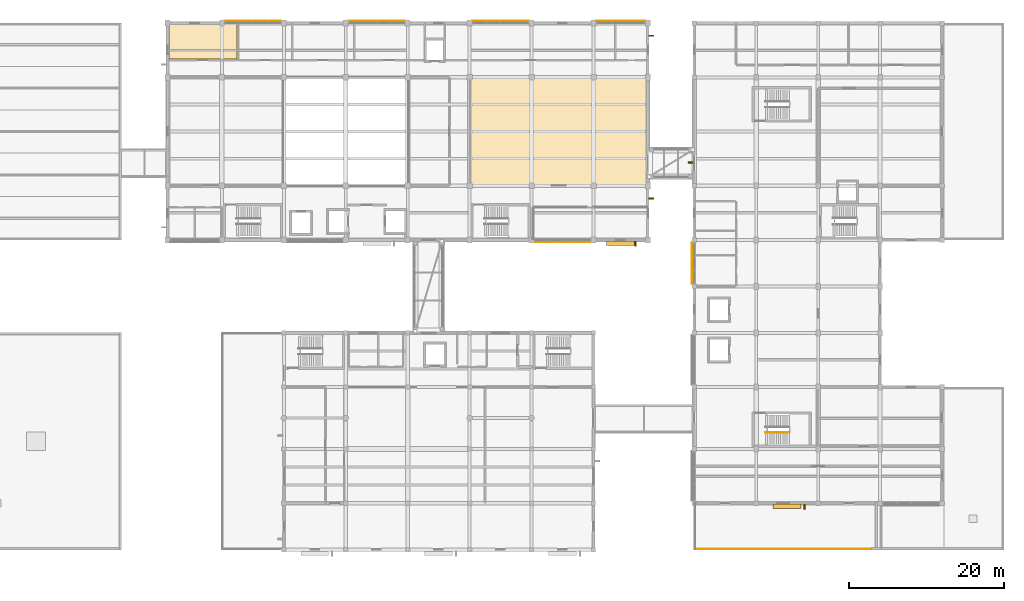
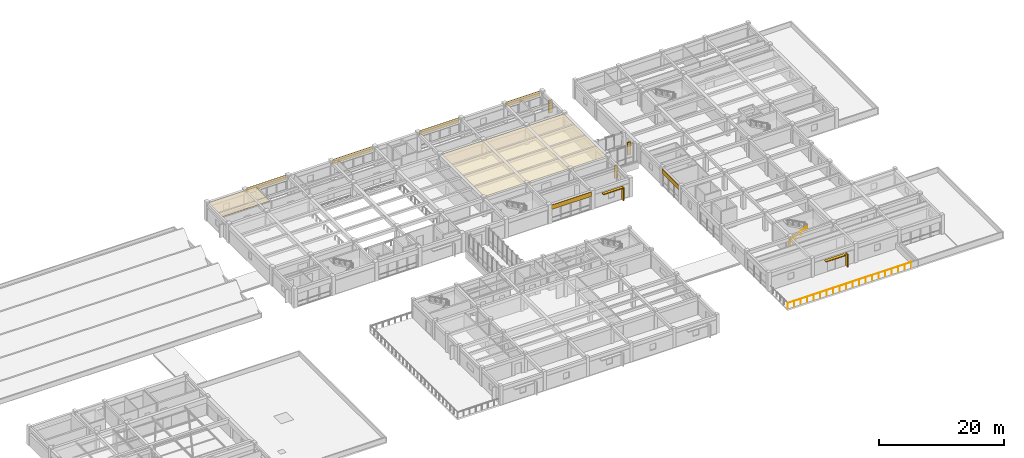
# One storey, part 40 of 42: 8 coverings, 7 shading devices, 2 railings.
"""IFC4 building model written with IfcOpenShell, lengths in metres."""

from ifc_helpers import new_model, si_unit, direction, frame, origin, origin_2d, place, context, subcontext, project, spatial, polyline, rectangle, circle, outline, extrude, material, layer, layer_set, type_object, element, save


model = new_model("IFC4")

# Units and contexts
model_context = context("Model", 3, precision=1e-05, world=origin(), true_north=direction((0.0, 1.0)))
body_context = subcontext(model_context, "Body", "Model", "MODEL_VIEW")
ifc_project = project(units=[si_unit("LENGTHUNIT", "METRE"), si_unit("AREAUNIT", "SQUARE_METRE"), si_unit("VOLUMEUNIT", "CUBIC_METRE"), si_unit("PLANEANGLEUNIT", "RADIAN"), si_unit("MASSUNIT", "GRAM", prefix="KILO")], contexts=[model_context])

# Site, building, storey
site_placement = place(None, origin())
site = spatial("IfcSite", under=ifc_project, at=site_placement, CompositionType="ELEMENT")
building_placement = place(site_placement, origin())
building = spatial("IfcBuilding", under=site, at=building_placement, Name="Naurynzar Civic Courthouse", CompositionType="ELEMENT")
storey_placement = place(building_placement, frame((0.0, 0.0, 18.300048828125)))
storey = spatial("IfcBuildingStorey", under=building, at=storey_placement, Name="L05", CompositionType="ELEMENT", Elevation=18.300048828125)

# Coverings
ifc_material_1 = material(Name="Acoustic Oak Timber Grade A", Category="wood")
ifc_layer_1 = layer(ifc_material_1, 0.044921875)
ifc_layer_set_1 = layer_set([ifc_layer_1], Name="CEIL-ACOUSTIC-OAK-45")
covering_type_1 = type_object("IfcCoveringType", Name="CEIL-ACOUSTIC-OAK-45", PredefinedType="CEILING", material=ifc_layer_set_1)
covering_1_placement = place(storey_placement, frame((0.0, 0.0, 3.364990234375)))
element("IfcCovering", 1, at=covering_1_placement, inside=storey, type_object=covering_type_1, Name="Acoustic suspended ceiling Civil Chamber Courtroom L05-E", PredefinedType="CEILING", context=body_context, shape_type="SweptSolid", body=[
    extrude(outline(polyline([(101.159912109375, 51.159912109375), (101.159912109375, 64.840087890625), (123.840087890625, 64.840087890625), (123.840087890625, 51.159912109375), (101.159912109375, 51.159912109375)])), origin(), (0.0, 0.0, 1.0), 0.044921875),
])
ifc_material_2 = material(Name="Mineral Fibre Acoustic Ceiling")
ifc_layer_2 = layer(ifc_material_2, 0.030029296875)
ifc_layer_set_2 = layer_set([ifc_layer_2], Name="CEIL-MINERAL-30")
covering_type_2 = type_object("IfcCoveringType", Name="CEIL-MINERAL-30", PredefinedType="CEILING", material=ifc_layer_set_2)
covering_2_placement = place(storey_placement, frame((0.0, 0.0, 3.364990234375)))
element("IfcCovering", 2, at=covering_2_placement, inside=storey, type_object=covering_type_2, Name="Acoustic suspended ceiling Jury Room L05-N", PredefinedType="CEILING", context=body_context, shape_type="SweptSolid", body=[
    extrude(outline(polyline([(62.159912109375, 67.360107421875), (62.159912109375, 71.840087890625), (70.926025390625, 71.840087890625), (70.926025390625, 67.360107421875), (62.159912109375, 67.360107421875)])), origin(), (0.0, 0.0, 1.0), 0.030029296875),
])
ifc_material_3 = material(Name="Precast concrete C40/50", Category="concrete")
ifc_layer_3 = layer(ifc_material_3, 0.080078125)
ifc_layer_set_3 = layer_set([ifc_layer_3], Name="COV-CLAD-PRECAST-80")
covering_type_3 = type_object("IfcCoveringType", Name="COV-CLAD-PRECAST-80", PredefinedType="CLADDING", material=ifc_layer_set_3)
for number, where, z_axis, x_axis, name in (
    (3, (73.0, 72.2548828125, 2.599853515625), (0.0, 0.0, 1.0), (1.0, 0.0, 0.0), "V2 precast spandrel cladding 36"),
    (4, (89.0, 72.2548828125, 2.599853515625), (0.0, 0.0, 1.0), (1.0, 0.0, 0.0), "V2 precast spandrel cladding 37"),
    (5, (105.0, 72.2548828125, 2.599853515625), (0.0, 0.0, 1.0), (1.0, 0.0, 0.0), "V2 precast spandrel cladding 38"),
):
    element("IfcCovering", number, at=place(storey_placement, frame(where, z_axis=z_axis, x_axis=x_axis)), inside=storey, type_object=covering_type_3, Name=name, PredefinedType="CLADDING", context=body_context, shape_type="SweptSolid", body=[
        extrude(rectangle(XDim=7.35009765625, YDim=0.080078125, at=origin_2d()), origin(), (0.0, 0.0, 1.0), 0.8701171875),
    ])
covering_3_placement = place(storey_placement, frame((120.5, 72.2548828125, 2.599853515625), z_axis=(0.0, 0.0, 1.0), x_axis=(1.0, 0.0, 0.0)))
element("IfcCovering", 6, at=covering_3_placement, inside=storey, type_object=covering_type_3, Name="V2 precast spandrel cladding 39", PredefinedType="CLADDING", context=body_context, shape_type="SweptSolid", body=[
    extrude(rectangle(XDim=6.35009765625, YDim=0.080078125, at=origin_2d()), origin(), (0.0, 0.0, 1.0), 0.8701171875),
])
covering_4_placement = place(storey_placement, frame((113.0, 43.7451171875, 2.599853515625), z_axis=(0.0, 0.0, 1.0), x_axis=(-1.0, 0.0, 0.0)))
element("IfcCovering", 7, at=covering_4_placement, inside=storey, type_object=covering_type_3, Name="V2 precast spandrel cladding 40", PredefinedType="CLADDING", context=body_context, shape_type="SweptSolid", body=[
    extrude(rectangle(XDim=7.35009765625, YDim=0.080078125, at=origin_2d()), origin(), (0.0, 0.0, 1.0), 0.8701171875),
])
covering_5_placement = place(storey_placement, frame((129.7451171875, 41.0, 2.550048828125), z_axis=(0.0, 0.0, 1.0), x_axis=(0.0, 1.0, 0.0)))
element("IfcCovering", 8, at=covering_5_placement, inside=storey, type_object=covering_type_3, Name="V5 precast spandrel cladding 104", PredefinedType="CLADDING", context=body_context, shape_type="SweptSolid", body=[
    extrude(rectangle(XDim=5.39990234375, YDim=0.080078125, at=origin_2d()), origin(), (0.0, 0.0, 1.0), 0.919921875),
])

# Railings
ifc_material_4 = material(Name="Brushed Stainless Steel 304", Category="steel")
railing_type_1 = type_object("IfcRailingType", Name="RAIL-BAL-1100", PredefinedType="BALUSTRADE", material=ifc_material_4)
railing_1_placement = place(storey_placement, frame((130.10009765625, 4.10009765625, 0.0)))
element("IfcRailing", 9, at=railing_1_placement, inside=storey, type_object=railing_type_1, Name="Roof garden perimeter balustrade guard GR-RG-V5.2", PredefinedType="BALUSTRADE", context=body_context, shape_type="SweptSolid", body=[
    extrude(circle(Radius=0.02392578125, at=origin_2d()), frame((0.0, 0.0, 1.09619140625), z_axis=(1.0, 0.0, 0.0), x_axis=(0.0, 1.0, 0.0)), (0.0, 0.0, 1.0), 22.7998046875),
    extrude(circle(Radius=0.02099609375, at=origin_2d()), origin(), (0.0, 0.0, 1.0), 1.072021484375),
    extrude(circle(Radius=0.02099609375, at=origin_2d()), frame((1.199951171875, 0.0, 0.0)), (0.0, 0.0, 1.0), 1.072021484375),
    extrude(circle(Radius=0.02099609375, at=origin_2d()), frame((2.39990234375, 0.0, 0.0)), (0.0, 0.0, 1.0), 1.072021484375),
    extrude(circle(Radius=0.02099609375, at=origin_2d()), frame((3.599853515625, 0.0, 0.0)), (0.0, 0.0, 1.0), 1.072021484375),
    extrude(circle(Radius=0.02099609375, at=origin_2d()), frame((4.800048828125, 0.0, 0.0)), (0.0, 0.0, 1.0), 1.072021484375),
    extrude(circle(Radius=0.02099609375, at=origin_2d()), frame((6.0, 0.0, 0.0)), (0.0, 0.0, 1.0), 1.072021484375),
    extrude(circle(Radius=0.02099609375, at=origin_2d()), frame((7.199951171875, 0.0, 0.0)), (0.0, 0.0, 1.0), 1.072021484375),
    extrude(circle(Radius=0.02099609375, at=origin_2d()), frame((8.39990234375, 0.0, 0.0)), (0.0, 0.0, 1.0), 1.072021484375),
    extrude(circle(Radius=0.02099609375, at=origin_2d()), frame((9.599853515625, 0.0, 0.0)), (0.0, 0.0, 1.0), 1.072021484375),
    extrude(circle(Radius=0.02099609375, at=origin_2d()), frame((10.7998046875, 0.0, 0.0)), (0.0, 0.0, 1.0), 1.072021484375),
    extrude(circle(Radius=0.02099609375, at=origin_2d()), frame((12.0, 0.0, 0.0)), (0.0, 0.0, 1.0), 1.072021484375),
    extrude(circle(Radius=0.02099609375, at=origin_2d()), frame((13.199951171875, 0.0, 0.0)), (0.0, 0.0, 1.0), 1.072021484375),
    extrude(circle(Radius=0.02099609375, at=origin_2d()), frame((14.39990234375, 0.0, 0.0)), (0.0, 0.0, 1.0), 1.072021484375),
    extrude(circle(Radius=0.02099609375, at=origin_2d()), frame((15.599853515625, 0.0, 0.0)), (0.0, 0.0, 1.0), 1.072021484375),
    extrude(circle(Radius=0.02099609375, at=origin_2d()), frame((16.7998046875, 0.0, 0.0)), (0.0, 0.0, 1.0), 1.072021484375),
    extrude(circle(Radius=0.02099609375, at=origin_2d()), frame((17.999755859375, 0.0, 0.0)), (0.0, 0.0, 1.0), 1.072021484375),
    extrude(circle(Radius=0.02099609375, at=origin_2d()), frame((19.199951171875, 0.0, 0.0)), (0.0, 0.0, 1.0), 1.072021484375),
    extrude(circle(Radius=0.02099609375, at=origin_2d()), frame((20.39990234375, 0.0, 0.0)), (0.0, 0.0, 1.0), 1.072021484375),
    extrude(circle(Radius=0.02099609375, at=origin_2d()), frame((21.599853515625, 0.0, 0.0)), (0.0, 0.0, 1.0), 1.072021484375),
    extrude(circle(Radius=0.02099609375, at=origin_2d()), frame((22.7998046875, 0.0, 0.0)), (0.0, 0.0, 1.0), 1.072021484375),
])
ifc_material_5 = material(Name="Brushed Stainless Steel 304", Category="steel")
railing_type_2 = type_object("IfcRailingType", Name="RAIL-HR-900", PredefinedType="HANDRAIL", material=ifc_material_5)
railing_2_placement = place(storey_placement, frame((139.199951171875, 19.139892578125, 0.15625)))
element("IfcRailing", 10, at=railing_2_placement, inside=storey, type_object=railing_type_2, Name="Stair ST-V5A-L05 flight 1 handrail", PredefinedType="HANDRAIL", context=body_context, shape_type="SweptSolid", body=[
    extrude(circle(Radius=0.02392578125, at=origin_2d()), frame((0.0, 0.0, 0.8759765625), z_axis=(0.873241540666, 0.0, 0.487287606713), x_axis=(0.0, 1.0, 0.0)), (0.0, 0.0, 1.0), 3.527099609375),
    extrude(circle(Radius=0.02099609375, at=origin_2d()), origin(), (0.0, 0.0, 1.0), 0.851806640625),
    extrude(circle(Radius=0.02099609375, at=origin_2d()), frame((1.026611328125, 0.0, 0.572998046875)), (0.0, 0.0, 1.0), 0.851806640625),
    extrude(circle(Radius=0.02099609375, at=origin_2d()), frame((2.053466796875, 0.0, 1.145751953125)), (0.0, 0.0, 1.0), 0.851806640625),
    extrude(circle(Radius=0.02099609375, at=origin_2d()), frame((3.080078125, 0.0, 1.71875)), (0.0, 0.0, 1.0), 0.851806640625),
])

# Shading devices
ifc_material_6 = material(Name="Precast concrete C40/50", Category="concrete")
shading_device_type_1 = type_object("IfcShadingDeviceType", Name="SHD-FIN-V650", PredefinedType="JALOUSIE", material=ifc_material_6)
for number, where, z_axis, x_axis, name in (
    (11, (124.469970703125, 70.360107421875, 0.0400390625), (0.0, 0.0, 1.0), (0.0, -1.0, 0.0), "V2 vertical brise-soleil fin 25"),
    (12, (124.469970703125, 49.360107421875, 0.0400390625), (0.0, 0.0, 1.0), (0.0, -1.0, 0.0), "V2 vertical brise-soleil fin 26"),
    (13, (122.405029296875, 43.530029296875, 0.0400390625), (0.0, 0.0, 1.0), (-1.0, 0.0, 0.0), "V2 vertical brise-soleil fin 27"),
):
    element("IfcShadingDevice", number, at=place(storey_placement, frame(where, z_axis=z_axis, x_axis=x_axis)), inside=storey, type_object=shading_device_type_1, Name=name, PredefinedType="JALOUSIE", context=body_context, shape_type="SweptSolid", body=[
        extrude(rectangle(XDim=0.179931640625, YDim=0.64990234375, at=origin_2d()), origin(), (0.0, 0.0, 1.0), 2.52001953125),
    ])
for number, where, z_axis, x_axis, name in (
    (14, (129.550048828125, 53.97998046875, 0.0400390625), (0.0, 0.0, 1.0), (0.0, 1.0, 0.0), "V5 vertical brise-soleil fin 88"),
    (15, (144.219970703125, 9.550048828125, 0.0400390625), (0.0, 0.0, 1.0), (-1.0, 0.0, 0.0), "V5 vertical brise-soleil fin 89"),
):
    element("IfcShadingDevice", number, at=place(storey_placement, frame(where, z_axis=z_axis, x_axis=x_axis)), inside=storey, type_object=shading_device_type_1, Name=name, PredefinedType="JALOUSIE", context=body_context, shape_type="SweptSolid", body=[
        extrude(rectangle(XDim=0.179931640625, YDim=0.64990234375, at=origin_2d()), origin(), (0.0, 0.0, 1.0), 2.469970703125),
    ])
ifc_material_7 = material(Name="Precast concrete C40/50", Category="concrete")
shading_device_type_2 = type_object("IfcShadingDeviceType", Name="SHD-LOUV-H550", PredefinedType="SHUTTER", material=ifc_material_7)
for number, where, z_axis, x_axis, name in (
    (16, (120.5, 43.580078125, 2.35986328125), (0.0, 0.0, 1.0), (-1.0, 0.0, 0.0), "V2 horizontal solar sun-breaker 27"),
    (17, (142.0, 9.60009765625, 2.31005859375), (0.0, 0.0, 1.0), (-1.0, 0.0, 0.0), "V5 horizontal solar sun-breaker 89"),
):
    element("IfcShadingDevice", number, at=place(storey_placement, frame(where, z_axis=z_axis, x_axis=x_axis)), inside=storey, type_object=shading_device_type_2, Name=name, PredefinedType="SHUTTER", context=body_context, shape_type="SweptSolid", body=[
        extrude(rectangle(XDim=3.60009765625, YDim=0.550048828125, at=origin_2d()), origin(), (0.0, 0.0, 1.0), 0.159912109375),
    ])

save(model, "model.ifc")
